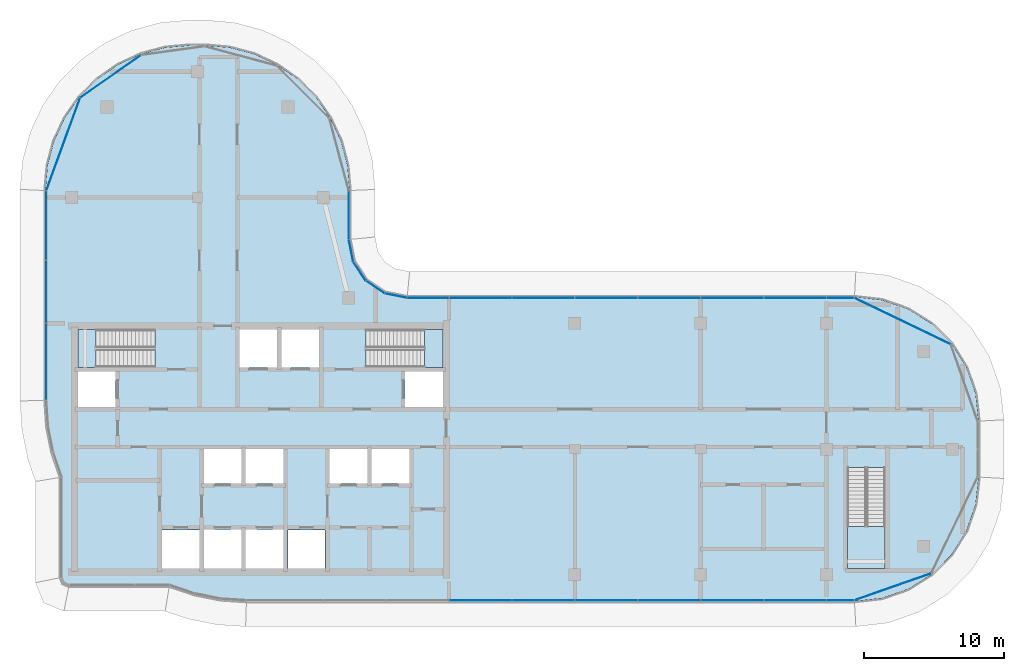
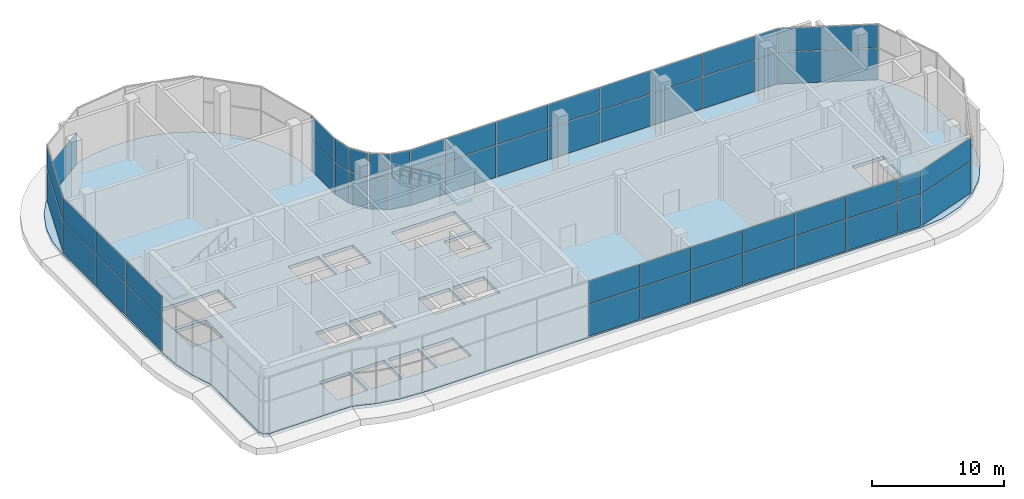
# One storey, part 12 of 23: 53 plates, 4 slabs, 11 elements without a shape of their own.
"""IFC4 building model written with IfcOpenShell, lengths in metres."""

from ifc_helpers import new_model, si_unit, direction, frame, origin, origin_2d, place, context, subcontext, project, spatial, polyline, rectangle, outline, extrude, material, layer, layer_set, type_object, element, aggregate, save


model = new_model("IFC4")

# Units and contexts
model_context = context("Model", 3, precision=1e-05, world=origin(), true_north=direction((0.0, 1.0)))
body_context = subcontext(model_context, "Body", "Model", "MODEL_VIEW")
ifc_project = project(units=[si_unit("LENGTHUNIT", "METRE"), si_unit("AREAUNIT", "SQUARE_METRE"), si_unit("VOLUMEUNIT", "CUBIC_METRE"), si_unit("PLANEANGLEUNIT", "RADIAN"), si_unit("MASSUNIT", "GRAM", prefix="KILO")], contexts=[model_context])

# Site, building, storey
site_placement = place(None, origin())
site = spatial("IfcSite", under=ifc_project, at=site_placement, CompositionType="ELEMENT")
building_placement = place(site_placement, origin())
building = spatial("IfcBuilding", under=site, at=building_placement, Name="Ogive Portal Towers", CompositionType="ELEMENT")
storey_placement = place(building_placement, frame((0.0, 0.0, 249.39990234375)))
storey = spatial("IfcBuildingStorey", under=building, at=storey_placement, Name="L62", CompositionType="ELEMENT", Elevation=249.39990234375)

# Curtain wall, plates
ifc_material_1 = material(Name="Glass, clear low-iron insulated glazing", Category="glass")
curtain_wall_type = type_object("IfcCurtainWallType", Name="CW OBSERVATION WALL", PredefinedType="NOTDEFINED", material=ifc_material_1)
curtain_wall_1_placement = place(storey_placement, origin())
curtain_wall_1 = element("IfcCurtainWall", 1, at=curtain_wall_1_placement, inside=storey, type_object=curtain_wall_type, Name="A:L62:f07:cw0", PredefinedType="NOTDEFINED")
ifc_layer_1 = layer(ifc_material_1, 0.028076171875)
ifc_layer_set_1 = layer_set([ifc_layer_1], Name="CW PANEL IGU 28")
plate_type = type_object("IfcPlateType", Name="CW PANEL IGU 28", PredefinedType="CURTAIN_PANEL", material=ifc_layer_set_1)
plate_1_placement = place(storey_placement, frame((60.75, 19.679931640625, 0.06005859375), z_axis=(0.0, 0.0, 1.0), x_axis=(1.0, 0.0, 0.0)))
plate_1 = element("IfcPlate", 2, at=plate_1_placement, type_object=plate_type, Name="panel", PredefinedType="CURTAIN_PANEL", context=body_context, shape_type="SweptSolid", body=[
    extrude(rectangle(XDim=4.43994140625, YDim=0.028076171875, at=origin_2d()), origin(), (0.0, 0.0, 1.0), 2.909912109375),
])
plate_2_placement = place(storey_placement, frame((60.75, 19.679931640625, 3.0302734375), z_axis=(0.0, 0.0, 1.0), x_axis=(1.0, 0.0, 0.0)))
plate_2 = element("IfcPlate", 3, at=plate_2_placement, type_object=plate_type, Name="panel", PredefinedType="CURTAIN_PANEL", context=body_context, shape_type="SweptSolid", body=[
    extrude(rectangle(XDim=4.43994140625, YDim=0.028076171875, at=origin_2d()), origin(), (0.0, 0.0, 1.0), 2.110107421875),
])
plate_3_placement = place(storey_placement, frame((65.25, 19.679931640625, 0.06005859375), z_axis=(0.0, 0.0, 1.0), x_axis=(1.0, 0.0, 0.0)))
plate_3 = element("IfcPlate", 4, at=plate_3_placement, type_object=plate_type, Name="panel", PredefinedType="CURTAIN_PANEL", context=body_context, shape_type="SweptSolid", body=[
    extrude(rectangle(XDim=4.43994140625, YDim=0.028076171875, at=origin_2d()), origin(), (0.0, 0.0, 1.0), 2.909912109375),
])
plate_4_placement = place(storey_placement, frame((65.25, 19.679931640625, 3.0302734375), z_axis=(0.0, 0.0, 1.0), x_axis=(1.0, 0.0, 0.0)))
plate_4 = element("IfcPlate", 5, at=plate_4_placement, type_object=plate_type, Name="panel", PredefinedType="CURTAIN_PANEL", context=body_context, shape_type="SweptSolid", body=[
    extrude(rectangle(XDim=4.43994140625, YDim=0.028076171875, at=origin_2d()), origin(), (0.0, 0.0, 1.0), 2.110107421875),
])
plate_5_placement = place(storey_placement, frame((69.75, 19.679931640625, 0.06005859375), z_axis=(0.0, 0.0, 1.0), x_axis=(1.0, 0.0, 0.0)))
plate_5 = element("IfcPlate", 6, at=plate_5_placement, type_object=plate_type, Name="panel", PredefinedType="CURTAIN_PANEL", context=body_context, shape_type="SweptSolid", body=[
    extrude(rectangle(XDim=4.43994140625, YDim=0.028076171875, at=origin_2d()), origin(), (0.0, 0.0, 1.0), 2.909912109375),
])
plate_6_placement = place(storey_placement, frame((69.75, 19.679931640625, 3.0302734375), z_axis=(0.0, 0.0, 1.0), x_axis=(1.0, 0.0, 0.0)))
plate_6 = element("IfcPlate", 7, at=plate_6_placement, type_object=plate_type, Name="panel", PredefinedType="CURTAIN_PANEL", context=body_context, shape_type="SweptSolid", body=[
    extrude(rectangle(XDim=4.43994140625, YDim=0.028076171875, at=origin_2d()), origin(), (0.0, 0.0, 1.0), 2.110107421875),
])
plate_7_placement = place(storey_placement, frame((74.25, 19.679931640625, 0.06005859375), z_axis=(0.0, 0.0, 1.0), x_axis=(1.0, 0.0, 0.0)))
plate_7 = element("IfcPlate", 8, at=plate_7_placement, type_object=plate_type, Name="panel", PredefinedType="CURTAIN_PANEL", context=body_context, shape_type="SweptSolid", body=[
    extrude(rectangle(XDim=4.43994140625, YDim=0.028076171875, at=origin_2d()), origin(), (0.0, 0.0, 1.0), 2.909912109375),
])
plate_8_placement = place(storey_placement, frame((74.25, 19.679931640625, 3.0302734375), z_axis=(0.0, 0.0, 1.0), x_axis=(1.0, 0.0, 0.0)))
plate_8 = element("IfcPlate", 9, at=plate_8_placement, type_object=plate_type, Name="panel", PredefinedType="CURTAIN_PANEL", context=body_context, shape_type="SweptSolid", body=[
    extrude(rectangle(XDim=4.43994140625, YDim=0.028076171875, at=origin_2d()), origin(), (0.0, 0.0, 1.0), 2.110107421875),
])
plate_9_placement = place(storey_placement, frame((78.75, 19.679931640625, 0.06005859375), z_axis=(0.0, 0.0, 1.0), x_axis=(1.0, 0.0, 0.0)))
plate_9 = element("IfcPlate", 10, at=plate_9_placement, type_object=plate_type, Name="panel", PredefinedType="CURTAIN_PANEL", context=body_context, shape_type="SweptSolid", body=[
    extrude(rectangle(XDim=4.43994140625, YDim=0.028076171875, at=origin_2d()), origin(), (0.0, 0.0, 1.0), 2.909912109375),
])
plate_10_placement = place(storey_placement, frame((78.75, 19.679931640625, 3.0302734375), z_axis=(0.0, 0.0, 1.0), x_axis=(1.0, 0.0, 0.0)))
plate_10 = element("IfcPlate", 11, at=plate_10_placement, type_object=plate_type, Name="panel", PredefinedType="CURTAIN_PANEL", context=body_context, shape_type="SweptSolid", body=[
    extrude(rectangle(XDim=4.43994140625, YDim=0.028076171875, at=origin_2d()), origin(), (0.0, 0.0, 1.0), 2.110107421875),
])
plate_11_placement = place(storey_placement, frame((83.25, 19.679931640625, 0.06005859375), z_axis=(0.0, 0.0, 1.0), x_axis=(1.0, 0.0, 0.0)))
plate_11 = element("IfcPlate", 12, at=plate_11_placement, type_object=plate_type, Name="panel", PredefinedType="CURTAIN_PANEL", context=body_context, shape_type="SweptSolid", body=[
    extrude(rectangle(XDim=4.43994140625, YDim=0.028076171875, at=origin_2d()), origin(), (0.0, 0.0, 1.0), 2.909912109375),
])
plate_12_placement = place(storey_placement, frame((83.25, 19.679931640625, 3.0302734375), z_axis=(0.0, 0.0, 1.0), x_axis=(1.0, 0.0, 0.0)))
plate_12 = element("IfcPlate", 13, at=plate_12_placement, type_object=plate_type, Name="panel", PredefinedType="CURTAIN_PANEL", context=body_context, shape_type="SweptSolid", body=[
    extrude(rectangle(XDim=4.43994140625, YDim=0.028076171875, at=origin_2d()), origin(), (0.0, 0.0, 1.0), 2.110107421875),
])
plate_13_placement = place(storey_placement, frame((86.4931640625, 19.679931640625, 0.06005859375), z_axis=(0.0, 0.0, 1.0), x_axis=(1.0, 0.0, 0.0)))
plate_13 = element("IfcPlate", 14, at=plate_13_placement, type_object=plate_type, Name="panel", PredefinedType="CURTAIN_PANEL", context=body_context, shape_type="SweptSolid", body=[
    extrude(rectangle(XDim=1.926513671875, YDim=0.028076171875, at=origin_2d()), origin(), (0.0, 0.0, 1.0), 2.909912109375),
])
plate_14_placement = place(storey_placement, frame((86.4931640625, 19.679931640625, 3.0302734375), z_axis=(0.0, 0.0, 1.0), x_axis=(1.0, 0.0, 0.0)))
plate_14 = element("IfcPlate", 15, at=plate_14_placement, type_object=plate_type, Name="panel", PredefinedType="CURTAIN_PANEL", context=body_context, shape_type="SweptSolid", body=[
    extrude(rectangle(XDim=1.926513671875, YDim=0.028076171875, at=origin_2d()), origin(), (0.0, 0.0, 1.0), 2.110107421875),
])
aggregate(curtain_wall_1, [plate_1, plate_2, plate_3, plate_4, plate_5, plate_6, plate_7, plate_8, plate_9, plate_10, plate_11, plate_12, plate_13, plate_14])

curtain_wall_2_placement = place(storey_placement, origin())
curtain_wall_2 = element("IfcCurtainWall", 16, at=curtain_wall_2_placement, inside=storey, type_object=curtain_wall_type, Name="A:L62:f13:cw0", PredefinedType="NOTDEFINED")
plate_15_placement = place(storey_placement, frame((86.490966796875, 41.320068359375, 0.06005859375), z_axis=(0.0, 0.0, 1.0), x_axis=(-1.0, 0.0, 0.0)))
plate_15 = element("IfcPlate", 17, at=plate_15_placement, type_object=plate_type, Name="panel", PredefinedType="CURTAIN_PANEL", context=body_context, shape_type="SweptSolid", body=[
    extrude(rectangle(XDim=1.921630859375, YDim=0.028076171875, at=origin_2d()), origin(), (0.0, 0.0, 1.0), 2.909912109375),
])
plate_16_placement = place(storey_placement, frame((86.490966796875, 41.320068359375, 3.0302734375), z_axis=(0.0, 0.0, 1.0), x_axis=(-1.0, 0.0, 0.0)))
plate_16 = element("IfcPlate", 18, at=plate_16_placement, type_object=plate_type, Name="panel", PredefinedType="CURTAIN_PANEL", context=body_context, shape_type="SweptSolid", body=[
    extrude(rectangle(XDim=1.921630859375, YDim=0.028076171875, at=origin_2d()), origin(), (0.0, 0.0, 1.0), 2.110107421875),
])
plate_17_placement = place(storey_placement, frame((83.25, 41.320068359375, 0.06005859375), z_axis=(0.0, 0.0, 1.0), x_axis=(-1.0, 0.0, 0.0)))
plate_17 = element("IfcPlate", 19, at=plate_17_placement, type_object=plate_type, Name="panel", PredefinedType="CURTAIN_PANEL", context=body_context, shape_type="SweptSolid", body=[
    extrude(rectangle(XDim=4.43994140625, YDim=0.028076171875, at=origin_2d()), origin(), (0.0, 0.0, 1.0), 2.909912109375),
])
plate_18_placement = place(storey_placement, frame((83.25, 41.320068359375, 3.0302734375), z_axis=(0.0, 0.0, 1.0), x_axis=(-1.0, 0.0, 0.0)))
plate_18 = element("IfcPlate", 20, at=plate_18_placement, type_object=plate_type, Name="panel", PredefinedType="CURTAIN_PANEL", context=body_context, shape_type="SweptSolid", body=[
    extrude(rectangle(XDim=4.43994140625, YDim=0.028076171875, at=origin_2d()), origin(), (0.0, 0.0, 1.0), 2.110107421875),
])
plate_19_placement = place(storey_placement, frame((78.75, 41.320068359375, 0.06005859375), z_axis=(0.0, 0.0, 1.0), x_axis=(-1.0, 0.0, 0.0)))
plate_19 = element("IfcPlate", 21, at=plate_19_placement, type_object=plate_type, Name="panel", PredefinedType="CURTAIN_PANEL", context=body_context, shape_type="SweptSolid", body=[
    extrude(rectangle(XDim=4.43994140625, YDim=0.028076171875, at=origin_2d()), origin(), (0.0, 0.0, 1.0), 2.909912109375),
])
plate_20_placement = place(storey_placement, frame((78.75, 41.320068359375, 3.0302734375), z_axis=(0.0, 0.0, 1.0), x_axis=(-1.0, 0.0, 0.0)))
plate_20 = element("IfcPlate", 22, at=plate_20_placement, type_object=plate_type, Name="panel", PredefinedType="CURTAIN_PANEL", context=body_context, shape_type="SweptSolid", body=[
    extrude(rectangle(XDim=4.43994140625, YDim=0.028076171875, at=origin_2d()), origin(), (0.0, 0.0, 1.0), 2.110107421875),
])
plate_21_placement = place(storey_placement, frame((74.25, 41.320068359375, 0.06005859375), z_axis=(0.0, 0.0, 1.0), x_axis=(-1.0, 0.0, 0.0)))
plate_21 = element("IfcPlate", 23, at=plate_21_placement, type_object=plate_type, Name="panel", PredefinedType="CURTAIN_PANEL", context=body_context, shape_type="SweptSolid", body=[
    extrude(rectangle(XDim=4.43994140625, YDim=0.028076171875, at=origin_2d()), origin(), (0.0, 0.0, 1.0), 2.909912109375),
])
plate_22_placement = place(storey_placement, frame((74.25, 41.320068359375, 3.0302734375), z_axis=(0.0, 0.0, 1.0), x_axis=(-1.0, 0.0, 0.0)))
plate_22 = element("IfcPlate", 24, at=plate_22_placement, type_object=plate_type, Name="panel", PredefinedType="CURTAIN_PANEL", context=body_context, shape_type="SweptSolid", body=[
    extrude(rectangle(XDim=4.43994140625, YDim=0.028076171875, at=origin_2d()), origin(), (0.0, 0.0, 1.0), 2.110107421875),
])
plate_23_placement = place(storey_placement, frame((69.75, 41.320068359375, 0.06005859375), z_axis=(0.0, 0.0, 1.0), x_axis=(-1.0, 0.0, 0.0)))
plate_23 = element("IfcPlate", 25, at=plate_23_placement, type_object=plate_type, Name="panel", PredefinedType="CURTAIN_PANEL", context=body_context, shape_type="SweptSolid", body=[
    extrude(rectangle(XDim=4.43994140625, YDim=0.028076171875, at=origin_2d()), origin(), (0.0, 0.0, 1.0), 2.909912109375),
])
plate_24_placement = place(storey_placement, frame((69.75, 41.320068359375, 3.0302734375), z_axis=(0.0, 0.0, 1.0), x_axis=(-1.0, 0.0, 0.0)))
plate_24 = element("IfcPlate", 26, at=plate_24_placement, type_object=plate_type, Name="panel", PredefinedType="CURTAIN_PANEL", context=body_context, shape_type="SweptSolid", body=[
    extrude(rectangle(XDim=4.43994140625, YDim=0.028076171875, at=origin_2d()), origin(), (0.0, 0.0, 1.0), 2.110107421875),
])
plate_25_placement = place(storey_placement, frame((65.25, 41.320068359375, 0.06005859375), z_axis=(0.0, 0.0, 1.0), x_axis=(-1.0, 0.0, 0.0)))
plate_25 = element("IfcPlate", 27, at=plate_25_placement, type_object=plate_type, Name="panel", PredefinedType="CURTAIN_PANEL", context=body_context, shape_type="SweptSolid", body=[
    extrude(rectangle(XDim=4.43994140625, YDim=0.028076171875, at=origin_2d()), origin(), (0.0, 0.0, 1.0), 2.909912109375),
])
plate_26_placement = place(storey_placement, frame((65.25, 41.320068359375, 3.0302734375), z_axis=(0.0, 0.0, 1.0), x_axis=(-1.0, 0.0, 0.0)))
plate_26 = element("IfcPlate", 28, at=plate_26_placement, type_object=plate_type, Name="panel", PredefinedType="CURTAIN_PANEL", context=body_context, shape_type="SweptSolid", body=[
    extrude(rectangle(XDim=4.43994140625, YDim=0.028076171875, at=origin_2d()), origin(), (0.0, 0.0, 1.0), 2.110107421875),
])
plate_27_placement = place(storey_placement, frame((60.75, 41.320068359375, 0.06005859375), z_axis=(0.0, 0.0, 1.0), x_axis=(-1.0, 0.0, 0.0)))
plate_27 = element("IfcPlate", 29, at=plate_27_placement, type_object=plate_type, Name="panel", PredefinedType="CURTAIN_PANEL", context=body_context, shape_type="SweptSolid", body=[
    extrude(rectangle(XDim=4.43994140625, YDim=0.028076171875, at=origin_2d()), origin(), (0.0, 0.0, 1.0), 2.909912109375),
])
plate_28_placement = place(storey_placement, frame((60.75, 41.320068359375, 3.0302734375), z_axis=(0.0, 0.0, 1.0), x_axis=(-1.0, 0.0, 0.0)))
plate_28 = element("IfcPlate", 30, at=plate_28_placement, type_object=plate_type, Name="panel", PredefinedType="CURTAIN_PANEL", context=body_context, shape_type="SweptSolid", body=[
    extrude(rectangle(XDim=4.43994140625, YDim=0.028076171875, at=origin_2d()), origin(), (0.0, 0.0, 1.0), 2.110107421875),
])
plate_29_placement = place(storey_placement, frame((56.99609375, 41.320068359375, 0.06005859375), z_axis=(0.0, 0.0, 1.0), x_axis=(-1.0, 0.0, 0.0)))
plate_29 = element("IfcPlate", 31, at=plate_29_placement, type_object=plate_type, Name="panel", PredefinedType="CURTAIN_PANEL", context=body_context, shape_type="SweptSolid", body=[
    extrude(rectangle(XDim=2.947998046875, YDim=0.028076171875, at=origin_2d()), origin(), (0.0, 0.0, 1.0), 2.909912109375),
])
plate_30_placement = place(storey_placement, frame((56.99609375, 41.320068359375, 3.0302734375), z_axis=(0.0, 0.0, 1.0), x_axis=(-1.0, 0.0, 0.0)))
plate_30 = element("IfcPlate", 32, at=plate_30_placement, type_object=plate_type, Name="panel", PredefinedType="CURTAIN_PANEL", context=body_context, shape_type="SweptSolid", body=[
    extrude(rectangle(XDim=2.947998046875, YDim=0.028076171875, at=origin_2d()), origin(), (0.0, 0.0, 1.0), 2.110107421875),
])
aggregate(curtain_wall_2, [plate_15, plate_16, plate_17, plate_18, plate_19, plate_20, plate_21, plate_22, plate_23, plate_24, plate_25, plate_26, plate_27, plate_28, plate_29, plate_30])

curtain_wall_3_placement = place(storey_placement, origin())
curtain_wall_3 = element("IfcCurtainWall", 33, at=curtain_wall_3_placement, inside=storey, type_object=curtain_wall_type, Name="A:L62:f18:cw0", PredefinedType="NOTDEFINED")
plate_31_placement = place(storey_placement, frame((51.320068359375, 47.24072265625, 0.06005859375), z_axis=(0.0, 0.0, 1.0), x_axis=(0.0, 1.0, 0.0)))
plate_31 = element("IfcPlate", 34, at=plate_31_placement, type_object=plate_type, Name="panel", PredefinedType="CURTAIN_PANEL", context=body_context, shape_type="SweptSolid", body=[
    extrude(rectangle(XDim=3.437255859375, YDim=0.028076171875, at=origin_2d()), origin(), (0.0, 0.0, 1.0), 2.909912109375),
])
plate_32_placement = place(storey_placement, frame((51.320068359375, 47.24072265625, 3.0302734375), z_axis=(0.0, 0.0, 1.0), x_axis=(0.0, 1.0, 0.0)))
plate_32 = element("IfcPlate", 35, at=plate_32_placement, type_object=plate_type, Name="panel", PredefinedType="CURTAIN_PANEL", context=body_context, shape_type="SweptSolid", body=[
    extrude(rectangle(XDim=3.437255859375, YDim=0.028076171875, at=origin_2d()), origin(), (0.0, 0.0, 1.0), 2.110107421875),
])
aggregate(curtain_wall_3, [plate_31, plate_32])

curtain_wall_4_placement = place(storey_placement, origin())
curtain_wall_4 = element("IfcCurtainWall", 36, at=curtain_wall_4_placement, inside=storey, type_object=curtain_wall_type, Name="A:L62:f25:cw0", PredefinedType="NOTDEFINED")
plate_33_placement = place(storey_placement, frame((29.679931640625, 46.492919921875, 0.06005859375), z_axis=(0.0, 0.0, 1.0), x_axis=(0.0, -1.0, 0.0)))
plate_33 = element("IfcPlate", 37, at=plate_33_placement, type_object=plate_type, Name="panel", PredefinedType="CURTAIN_PANEL", context=body_context, shape_type="SweptSolid", body=[
    extrude(rectangle(XDim=4.92578125, YDim=0.028076171875, at=origin_2d()), origin(), (0.0, 0.0, 1.0), 2.909912109375),
])
plate_34_placement = place(storey_placement, frame((29.679931640625, 46.492919921875, 3.0302734375), z_axis=(0.0, 0.0, 1.0), x_axis=(0.0, -1.0, 0.0)))
plate_34 = element("IfcPlate", 38, at=plate_34_placement, type_object=plate_type, Name="panel", PredefinedType="CURTAIN_PANEL", context=body_context, shape_type="SweptSolid", body=[
    extrude(rectangle(XDim=4.92578125, YDim=0.028076171875, at=origin_2d()), origin(), (0.0, 0.0, 1.0), 2.110107421875),
])
plate_35_placement = place(storey_placement, frame((29.679931640625, 41.75, 0.06005859375), z_axis=(0.0, 0.0, 1.0), x_axis=(0.0, -1.0, 0.0)))
plate_35 = element("IfcPlate", 39, at=plate_35_placement, type_object=plate_type, Name="panel", PredefinedType="CURTAIN_PANEL", context=body_context, shape_type="SweptSolid", body=[
    extrude(rectangle(XDim=4.43994140625, YDim=0.028076171875, at=origin_2d()), origin(), (0.0, 0.0, 1.0), 2.909912109375),
])
plate_36_placement = place(storey_placement, frame((29.679931640625, 41.75, 3.0302734375), z_axis=(0.0, 0.0, 1.0), x_axis=(0.0, -1.0, 0.0)))
plate_36 = element("IfcPlate", 40, at=plate_36_placement, type_object=plate_type, Name="panel", PredefinedType="CURTAIN_PANEL", context=body_context, shape_type="SweptSolid", body=[
    extrude(rectangle(XDim=4.43994140625, YDim=0.028076171875, at=origin_2d()), origin(), (0.0, 0.0, 1.0), 2.110107421875),
])
plate_37_placement = place(storey_placement, frame((29.679931640625, 36.751220703125, 0.06005859375), z_axis=(0.0, 0.0, 1.0), x_axis=(0.0, -1.0, 0.0)))
plate_37 = element("IfcPlate", 41, at=plate_37_placement, type_object=plate_type, Name="panel", PredefinedType="CURTAIN_PANEL", context=body_context, shape_type="SweptSolid", body=[
    extrude(rectangle(XDim=5.4375, YDim=0.028076171875, at=origin_2d()), origin(), (0.0, 0.0, 1.0), 2.909912109375),
])
plate_38_placement = place(storey_placement, frame((29.679931640625, 36.751220703125, 3.0302734375), z_axis=(0.0, 0.0, 1.0), x_axis=(0.0, -1.0, 0.0)))
plate_38 = element("IfcPlate", 42, at=plate_38_placement, type_object=plate_type, Name="panel", PredefinedType="CURTAIN_PANEL", context=body_context, shape_type="SweptSolid", body=[
    extrude(rectangle(XDim=5.4375, YDim=0.028076171875, at=origin_2d()), origin(), (0.0, 0.0, 1.0), 2.110107421875),
])
aggregate(curtain_wall_4, [plate_33, plate_34, plate_35, plate_36, plate_37, plate_38])

curtain_wall_5_placement = place(storey_placement, origin())
curtain_wall_5 = element("IfcCurtainWall", 43, at=curtain_wall_5_placement, inside=storey, type_object=curtain_wall_type, Name="A:L62:f08:cwa", PredefinedType="NOTDEFINED")
plate_39_placement = place(storey_placement, frame((90.23876953125, 20.64306640625, 0.06005859375), z_axis=(0.0, 0.0, 1.0), x_axis=(0.943883330307, 0.33027906196, 0.0)))
plate_39 = element("IfcPlate", 44, at=plate_39_placement, type_object=plate_type, Name="panel", PredefinedType="CURTAIN_PANEL", context=body_context, shape_type="SweptSolid", body=[
    extrude(rectangle(XDim=5.772216796875, YDim=0.028076171875, at=origin_2d()), origin(), (0.0, 0.0, 1.0), 2.909912109375),
])
plate_40_placement = place(storey_placement, frame((90.23876953125, 20.64306640625, 3.0302734375), z_axis=(0.0, 0.0, 1.0), x_axis=(0.943883330307, 0.33027906196, 0.0)))
plate_40 = element("IfcPlate", 45, at=plate_40_placement, type_object=plate_type, Name="panel", PredefinedType="CURTAIN_PANEL", context=body_context, shape_type="SweptSolid", body=[
    extrude(rectangle(XDim=5.772216796875, YDim=0.028076171875, at=origin_2d()), origin(), (0.0, 0.0, 1.0), 2.110107421875),
])
aggregate(curtain_wall_5, [plate_39, plate_40])

curtain_wall_6_placement = place(storey_placement, origin())
curtain_wall_6 = element("IfcCurtainWall", 46, at=curtain_wall_6_placement, inside=storey, type_object=curtain_wall_type, Name="A:L62:f11:cwa", PredefinedType="NOTDEFINED")
plate_41_placement = place(storey_placement, frame((90.937744140625, 39.65576171875, 0.06005859375), z_axis=(0.0, 0.0, 1.0), x_axis=(-0.900968867905, 0.433883739113, 0.0)))
plate_41 = element("IfcPlate", 47, at=plate_41_placement, type_object=plate_type, Name="panel", PredefinedType="CURTAIN_PANEL", context=body_context, shape_type="SweptSolid", body=[
    extrude(rectangle(XDim=7.61181640625, YDim=0.028076171875, at=origin_2d()), origin(), (0.0, 0.0, 1.0), 2.909912109375),
])
plate_42_placement = place(storey_placement, frame((90.937744140625, 39.65576171875, 3.0302734375), z_axis=(0.0, 0.0, 1.0), x_axis=(-0.900968867905, 0.433883739113, 0.0)))
plate_42 = element("IfcPlate", 48, at=plate_42_placement, type_object=plate_type, Name="panel", PredefinedType="CURTAIN_PANEL", context=body_context, shape_type="SweptSolid", body=[
    extrude(rectangle(XDim=7.61181640625, YDim=0.028076171875, at=origin_2d()), origin(), (0.0, 0.0, 1.0), 2.110107421875),
])
aggregate(curtain_wall_6, [plate_41, plate_42])

curtain_wall_7_placement = place(storey_placement, origin())
curtain_wall_7 = element("IfcCurtainWall", 49, at=curtain_wall_7_placement, inside=storey, type_object=curtain_wall_type, Name="A:L62:f14:cwa", PredefinedType="NOTDEFINED")
plate_43_placement = place(storey_placement, frame((54.696044921875, 41.478271484375, 0.06005859375), z_axis=(0.0, 0.0, 1.0), x_axis=(-0.980785280403, 0.195090322016, 0.0)))
plate_43 = element("IfcPlate", 50, at=plate_43_placement, type_object=plate_type, Name="panel", PredefinedType="CURTAIN_PANEL", context=body_context, shape_type="SweptSolid", body=[
    extrude(rectangle(XDim=1.5634765625, YDim=0.028076171875, at=origin_2d()), origin(), (0.0, 0.0, 1.0), 2.909912109375),
])
plate_44_placement = place(storey_placement, frame((54.696044921875, 41.478271484375, 3.0302734375), z_axis=(0.0, 0.0, 1.0), x_axis=(-0.980785280403, 0.195090322016, 0.0)))
plate_44 = element("IfcPlate", 51, at=plate_44_placement, type_object=plate_type, Name="panel", PredefinedType="CURTAIN_PANEL", context=body_context, shape_type="SweptSolid", body=[
    extrude(rectangle(XDim=1.5634765625, YDim=0.028076171875, at=origin_2d()), origin(), (0.0, 0.0, 1.0), 2.110107421875),
])
plate_45_placement = place(storey_placement, frame((53.221435546875, 42.08984375, 0.06005859375), z_axis=(0.0, 0.0, 1.0), x_axis=(-0.831469612303, 0.55557023302, 0.0)))
plate_45 = element("IfcPlate", 52, at=plate_45_placement, type_object=plate_type, Name="panel", PredefinedType="CURTAIN_PANEL", context=body_context, shape_type="SweptSolid", body=[
    extrude(rectangle(XDim=1.571533203125, YDim=0.028076171875, at=origin_2d()), origin(), (0.0, 0.0, 1.0), 2.909912109375),
])
plate_46_placement = place(storey_placement, frame((53.221435546875, 42.08984375, 3.0302734375), z_axis=(0.0, 0.0, 1.0), x_axis=(-0.831469612303, 0.55557023302, 0.0)))
plate_46 = element("IfcPlate", 53, at=plate_46_placement, type_object=plate_type, Name="panel", PredefinedType="CURTAIN_PANEL", context=body_context, shape_type="SweptSolid", body=[
    extrude(rectangle(XDim=1.571533203125, YDim=0.028076171875, at=origin_2d()), origin(), (0.0, 0.0, 1.0), 2.110107421875),
])
plate_47_placement = place(storey_placement, frame((52.08984375, 43.221435546875, 0.06005859375), z_axis=(0.0, 0.0, 1.0), x_axis=(-0.55557023302, 0.831469612303, 0.0)))
plate_47 = element("IfcPlate", 54, at=plate_47_placement, type_object=plate_type, Name="panel", PredefinedType="CURTAIN_PANEL", context=body_context, shape_type="SweptSolid", body=[
    extrude(rectangle(XDim=1.571533203125, YDim=0.028076171875, at=origin_2d()), origin(), (0.0, 0.0, 1.0), 2.909912109375),
])
plate_48_placement = place(storey_placement, frame((52.08984375, 43.221435546875, 3.0302734375), z_axis=(0.0, 0.0, 1.0), x_axis=(-0.55557023302, 0.831469612303, 0.0)))
plate_48 = element("IfcPlate", 55, at=plate_48_placement, type_object=plate_type, Name="panel", PredefinedType="CURTAIN_PANEL", context=body_context, shape_type="SweptSolid", body=[
    extrude(rectangle(XDim=1.571533203125, YDim=0.028076171875, at=origin_2d()), origin(), (0.0, 0.0, 1.0), 2.110107421875),
])
plate_49_placement = place(storey_placement, frame((51.478271484375, 44.696044921875, 0.06005859375), z_axis=(0.0, 0.0, 1.0), x_axis=(-0.195090322016, 0.980785280403, 0.0)))
plate_49 = element("IfcPlate", 56, at=plate_49_placement, type_object=plate_type, Name="panel", PredefinedType="CURTAIN_PANEL", context=body_context, shape_type="SweptSolid", body=[
    extrude(rectangle(XDim=1.5634765625, YDim=0.028076171875, at=origin_2d()), origin(), (0.0, 0.0, 1.0), 2.909912109375),
])
plate_50_placement = place(storey_placement, frame((51.478271484375, 44.696044921875, 3.0302734375), z_axis=(0.0, 0.0, 1.0), x_axis=(-0.195090322016, 0.980785280403, 0.0)))
plate_50 = element("IfcPlate", 57, at=plate_50_placement, type_object=plate_type, Name="panel", PredefinedType="CURTAIN_PANEL", context=body_context, shape_type="SweptSolid", body=[
    extrude(rectangle(XDim=1.5634765625, YDim=0.028076171875, at=origin_2d()), origin(), (0.0, 0.0, 1.0), 2.110107421875),
])
aggregate(curtain_wall_7, [plate_43, plate_44, plate_45, plate_46, plate_47, plate_48, plate_49, plate_50])

curtain_wall_8_placement = place(storey_placement, origin())
curtain_wall_8 = element("IfcCurtainWall", 58, at=curtain_wall_8_placement, inside=storey, type_object=curtain_wall_type, Name="A:L62:f19:cwa", PredefinedType="NOTDEFINED")
plate_51_placement = place(storey_placement, frame((34.286376953125, 57.1650390625, 0.06005859375), z_axis=(0.0, 0.0, 1.0), x_axis=(-0.819152044289, -0.573576436351, 0.0)))
plate_51 = element("IfcPlate", 59, at=plate_51_placement, type_object=plate_type, Name="panel", PredefinedType="CURTAIN_PANEL", context=body_context, shape_type="SweptSolid", body=[
    extrude(rectangle(XDim=5.27880859375, YDim=0.028076171875, at=origin_2d()), origin(), (0.0, 0.0, 1.0), 2.909912109375),
])
plate_52_placement = place(storey_placement, frame((30.889892578125, 52.309814453125, 0.06005859375), z_axis=(0.0, 0.0, 1.0), x_axis=(-0.342020143326, -0.939692620786, 0.0)))
plate_52 = element("IfcPlate", 60, at=plate_52_placement, type_object=plate_type, Name="panel", PredefinedType="CURTAIN_PANEL", context=body_context, shape_type="SweptSolid", body=[
    extrude(rectangle(XDim=7.0146484375, YDim=0.028076171875, at=origin_2d()), origin(), (0.0, 0.0, 1.0), 2.909912109375),
])
plate_53_placement = place(storey_placement, frame((30.889892578125, 52.309814453125, 3.0302734375), z_axis=(0.0, 0.0, 1.0), x_axis=(-0.342020143326, -0.939692620786, 0.0)))
plate_53 = element("IfcPlate", 61, at=plate_53_placement, type_object=plate_type, Name="panel", PredefinedType="CURTAIN_PANEL", context=body_context, shape_type="SweptSolid", body=[
    extrude(rectangle(XDim=7.0146484375, YDim=0.028076171875, at=origin_2d()), origin(), (0.0, 0.0, 1.0), 2.110107421875),
])
aggregate(curtain_wall_8, [plate_51, plate_52, plate_53])

# Stair, slab
ifc_material_2 = material(Name="Concrete C40/50", Category="concrete")
stair_type = type_object("IfcStairType", Name="INT-STAIR", PredefinedType="HALF_TURN_STAIR", material=ifc_material_2)
stair_1_placement = place(storey_placement, origin())
stair_1 = element("IfcStair", 62, at=stair_1_placement, inside=storey, type_object=stair_type, Name="L62 Exit Stair ST-A1", PredefinedType="HALF_TURN_STAIR")
ifc_layer_2 = layer(ifc_material_2, 0.199951171875)
ifc_layer_set_2 = layer_set([ifc_layer_2], Name="INT-LANDING")
slab_type_1 = type_object("IfcSlabType", Name="INT-LANDING", PredefinedType="LANDING", material=ifc_layer_set_2)
slab_1_placement = place(storey_placement, frame((0.0, 0.0, 2.550048828125)))
slab_1 = element("IfcSlab", 63, at=slab_1_placement, type_object=slab_type_1, Name="ST-A1 landing 1", PredefinedType="LANDING", context=body_context, shape_type="SweptSolid", body=[
    extrude(outline(polyline([(33.25, 39.050048828125), (31.949951171875, 39.050048828125), (31.949951171875, 36.35009765625), (33.25, 36.35009765625), (33.25, 39.050048828125)])), origin(), (0.0, 0.0, 1.0), 0.199951171875),
])
aggregate(stair_1, [slab_1])

stair_2_placement = place(storey_placement, origin())
stair_2 = element("IfcStair", 64, at=stair_2_placement, inside=storey, type_object=stair_type, Name="L62 Exit Stair ST-A2", PredefinedType="HALF_TURN_STAIR")
slab_2_placement = place(storey_placement, frame((0.0, 0.0, 2.550048828125)))
slab_2 = element("IfcSlab", 65, at=slab_2_placement, type_object=slab_type_1, Name="ST-A2 landing 1", PredefinedType="LANDING", context=body_context, shape_type="SweptSolid", body=[
    extrude(outline(polyline([(56.75, 36.35009765625), (58.050048828125, 36.35009765625), (58.050048828125, 39.050048828125), (56.75, 39.050048828125), (56.75, 36.35009765625)])), origin(), (0.0, 0.0, 1.0), 0.199951171875),
])
aggregate(stair_2, [slab_2])

stair_3_placement = place(storey_placement, origin())
stair_3 = element("IfcStair", 66, at=stair_3_placement, inside=storey, type_object=stair_type, Name="L62 Exit Stair ST-A4", PredefinedType="HALF_TURN_STAIR")
slab_3_placement = place(storey_placement, frame((0.0, 0.0, 2.550048828125)))
slab_3 = element("IfcSlab", 67, at=slab_3_placement, type_object=slab_type_1, Name="ST-A4 landing 1", PredefinedType="LANDING", context=body_context, shape_type="SweptSolid", body=[
    extrude(outline(polyline([(87.0, 24.969970703125), (87.0, 21.949951171875), (89.699951171875, 21.949951171875), (89.699951171875, 24.969970703125), (87.0, 24.969970703125)])), origin(), (0.0, 0.0, 1.0), 0.199951171875),
])
aggregate(stair_3, [slab_3])

# Slab
ifc_material_3 = material(Name="Concrete C45/55", Category="concrete")
ifc_layer_3 = layer(ifc_material_3, 0.300048828125)
ifc_layer_set_3 = layer_set([ifc_layer_3], Name="PT FLAT PLATE 300")
slab_type_2 = type_object("IfcSlabType", Name="PT FLAT PLATE 300", PredefinedType="FLOOR", material=ifc_layer_set_3)
slab_4_placement = place(storey_placement, frame((0.0, 0.0, -0.2998046875)))
element("IfcSlab", 68, at=slab_4_placement, inside=storey, type_object=slab_type_2, Name="Floor slab L62", PredefinedType="FLOOR", context=body_context, shape_type="SweptSolid", body=[
    extrude(outline(polyline([(29.72314453125, 32.120361328125), (30.0908203125, 30.27294921875), (30.699951171875, 28.4814453125), (30.699951171875, 21.300048828125), (30.875732421875, 20.875732421875), (31.300048828125, 20.699951171875), (38.4814453125, 20.699951171875), (40.27294921875, 20.0908203125), (42.120361328125, 19.72314453125), (44.0, 19.60009765625), (87.5, 19.60009765625), (89.48046875, 19.822998046875), (91.361572265625, 20.4814453125), (93.049072265625, 21.541748046875), (94.458251953125, 22.950927734375), (95.5185546875, 24.638427734375), (96.177001953125, 26.51953125), (96.39990234375, 28.5), (96.39990234375, 32.5), (96.177001953125, 34.48046875), (95.5185546875, 36.361572265625), (94.458251953125, 38.049072265625), (93.049072265625, 39.458251953125), (91.361572265625, 40.5185546875), (89.48046875, 41.177001953125), (87.5, 41.39990234375), (55.5, 41.39990234375), (53.930908203125, 41.712158203125), (52.600830078125, 42.600830078125), (51.712158203125, 43.930908203125), (51.39990234375, 45.5), (51.39990234375, 49.0), (51.241943359375, 50.805908203125), (50.772705078125, 52.556884765625), (50.006591796875, 54.199951171875), (48.966796875, 55.68505859375), (47.68505859375, 56.966796875), (46.199951171875, 58.006591796875), (44.556884765625, 58.772705078125), (42.805908203125, 59.241943359375), (41.0, 59.39990234375), (40.0, 59.39990234375), (38.194091796875, 59.241943359375), (36.443115234375, 58.772705078125), (34.800048828125, 58.006591796875), (33.31494140625, 56.966796875), (32.033203125, 55.68505859375), (30.993408203125, 54.199951171875), (30.227294921875, 52.556884765625), (29.758056640625, 50.805908203125), (29.60009765625, 49.0), (29.60009765625, 34.0), (29.72314453125, 32.120361328125)]), holes=[polyline([(40.6298828125, 24.72998046875), (40.6298828125, 21.969970703125), (37.969970703125, 21.969970703125), (37.969970703125, 24.72998046875), (40.6298828125, 24.72998046875)]), polyline([(43.64990234375, 24.75), (43.64990234375, 21.949951171875), (40.949951171875, 21.949951171875), (40.949951171875, 24.75), (43.64990234375, 24.75)]), polyline([(46.64990234375, 24.75), (46.64990234375, 21.949951171875), (43.949951171875, 21.949951171875), (43.949951171875, 24.75), (46.64990234375, 24.75)]), polyline([(43.64990234375, 30.5), (43.64990234375, 28.050048828125), (40.949951171875, 28.050048828125), (40.949951171875, 30.5), (43.64990234375, 30.5)]), polyline([(46.64990234375, 30.5), (46.64990234375, 28.050048828125), (43.949951171875, 28.050048828125), (43.949951171875, 30.5), (46.64990234375, 30.5)]), polyline([(34.64990234375, 36.050048828125), (34.64990234375, 33.5), (31.949951171875, 33.5), (31.949951171875, 36.050048828125), (34.64990234375, 36.050048828125)]), polyline([(31.951904296875, 39.048095703125), (37.447998046875, 39.048095703125), (37.447998046875, 36.35205078125), (31.951904296875, 36.35205078125), (31.951904296875, 39.048095703125)]), polyline([(46.199951171875, 39.050048828125), (46.199951171875, 36.35009765625), (43.5, 36.35009765625), (43.5, 39.050048828125), (46.199951171875, 39.050048828125)]), polyline([(49.6298828125, 21.969970703125), (46.969970703125, 21.969970703125), (46.969970703125, 24.72998046875), (49.6298828125, 24.72998046875), (49.6298828125, 21.969970703125)]), polyline([(87.001953125, 21.951904296875), (87.001953125, 29.16796875), (89.697998046875, 29.16796875), (89.697998046875, 21.951904296875), (87.001953125, 21.951904296875)]), polyline([(52.64990234375, 30.5), (52.64990234375, 28.050048828125), (49.949951171875, 28.050048828125), (49.949951171875, 30.5), (52.64990234375, 30.5)]), polyline([(55.64990234375, 30.5), (55.64990234375, 28.050048828125), (52.949951171875, 28.050048828125), (52.949951171875, 30.5), (55.64990234375, 30.5)]), polyline([(58.050048828125, 36.050048828125), (58.050048828125, 33.5), (55.35009765625, 33.5), (55.35009765625, 36.050048828125), (58.050048828125, 36.050048828125)]), polyline([(49.199951171875, 39.050048828125), (49.199951171875, 36.35009765625), (46.5, 36.35009765625), (46.5, 39.050048828125), (49.199951171875, 39.050048828125)]), polyline([(58.048095703125, 36.35205078125), (52.552001953125, 36.35205078125), (52.552001953125, 39.048095703125), (58.048095703125, 39.048095703125), (58.048095703125, 36.35205078125)])]), origin(), (0.0, 0.0, 1.0), 0.2998046875),
])

save(model, "model.ifc")
